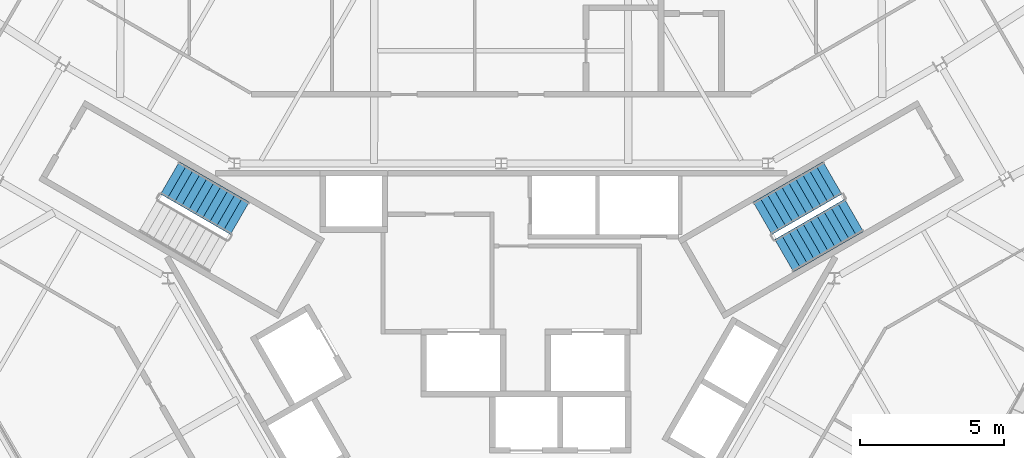
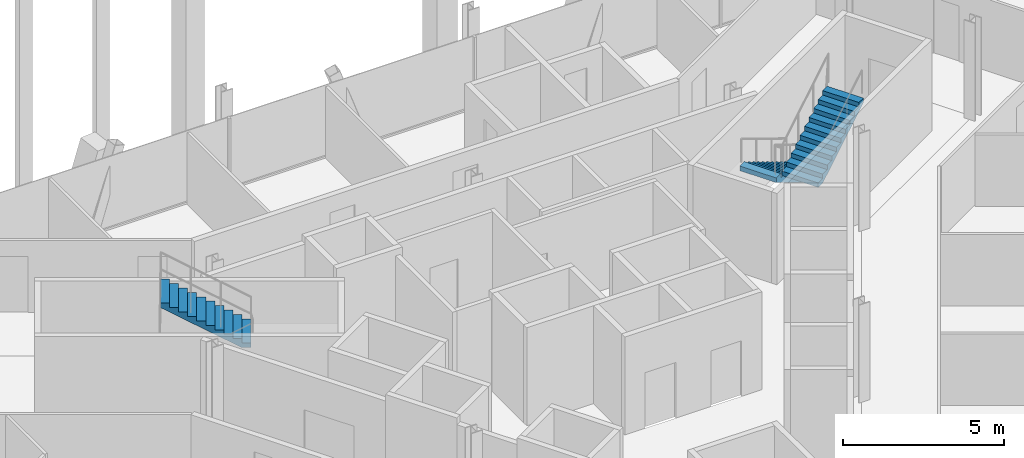
# One storey, part 12 of 14: 3 stair flights, 2 elements without a shape of their own.
"""IFC4 building model written with IfcOpenShell, lengths in metres."""

from ifc_helpers import new_model, si_unit, direction, frame, origin, place, context, subcontext, project, spatial, polyline, outline, extrude, material, type_object, element, aggregate, save


model = new_model("IFC4")

# Units and contexts
model_context = context("Model", 3, precision=1e-05, world=origin(), true_north=direction((0.0, 1.0)))
body_context = subcontext(model_context, "Body", "Model", "MODEL_VIEW")
ifc_project = project(units=[si_unit("LENGTHUNIT", "METRE"), si_unit("AREAUNIT", "SQUARE_METRE"), si_unit("VOLUMEUNIT", "CUBIC_METRE"), si_unit("PLANEANGLEUNIT", "RADIAN"), si_unit("MASSUNIT", "GRAM", prefix="KILO")], contexts=[model_context])

# Site, building, storey
site_placement = place(None, origin())
site = spatial("IfcSite", under=ifc_project, at=site_placement, CompositionType="ELEMENT")
building_placement = place(site_placement, origin())
building = spatial("IfcBuilding", under=site, at=building_placement, Name="Verrane Prism Tower", CompositionType="ELEMENT")
storey_placement = place(building_placement, frame((0.0, 0.0, 217.5)))
storey = spatial("IfcBuildingStorey", under=building, at=storey_placement, Name="L54", CompositionType="ELEMENT", Elevation=217.5)

# Stair, stair flights
ifc_material_1 = material(Name="Concrete C40/50", Category="concrete")
stair_type = type_object("IfcStairType", Name="Exit stair 1300 dog-leg precast concrete C40/50", PredefinedType="HALF_TURN_STAIR", material=ifc_material_1)
stair_1_placement = place(storey_placement, origin())
stair_1 = element("IfcStair", 1, at=stair_1_placement, inside=storey, type_object=stair_type, Name="Stair 1 L54", PredefinedType="HALF_TURN_STAIR")
ifc_material_2 = material(Name="Concrete C40/50", Category="concrete")
stair_flight_type = type_object("IfcStairFlightType", Name="Stair flight 1300 precast concrete C40/50", PredefinedType="STRAIGHT", material=ifc_material_2)
stair_flight_1_placement = place(storey_placement, frame((11.489501953125, 7.49951171875, 0.0), z_axis=(0.0, 0.0, 1.0), x_axis=(-0.866025403784, -0.5, 0.0)))
stair_flight_1 = element("IfcStairFlight", 2, at=stair_flight_1_placement, type_object=stair_flight_type, Name="Stair 1 flight 1", NumberOfRisers=11, NumberOfTreads=10, PredefinedType="STRAIGHT", RiserHeight=0.168181818, TreadLength=0.28, context=body_context, shape_type="SweptSolid", body=[
    extrude(outline(polyline([(0.0, 0.0), (0.0, 0.168212890625), (0.280029296875, 0.168212890625), (0.280029296875, 0.33642578125), (0.56005859375, 0.33642578125), (0.56005859375, 0.504638671875), (0.840087890625, 0.504638671875), (0.840087890625, 0.672607421875), (1.1201171875, 0.672607421875), (1.1201171875, 0.8408203125), (1.39990234375, 0.8408203125), (1.39990234375, 1.009033203125), (1.679931640625, 1.009033203125), (1.679931640625, 1.17724609375), (1.9599609375, 1.17724609375), (1.9599609375, 1.345458984375), (2.239990234375, 1.345458984375), (2.239990234375, 1.513671875), (2.52001953125, 1.513671875), (2.52001953125, 1.681884765625), (2.800048828125, 1.681884765625), (2.800048828125, 1.85009765625), (2.800048828125, 1.5068359375), (0.291015625, 0.0), (0.0, 0.0)])), frame((0.0, 0.64990234375, 0.0), z_axis=(0.0, -1.0, 0.0), x_axis=(1.0, 0.0, 0.0)), (0.0, 0.0, 1.0), 1.300048828125),
])
stair_flight_2_placement = place(storey_placement, frame((9.814697265625, 4.800537109375, 1.85009765625), z_axis=(0.0, 0.0, 1.0), x_axis=(0.866025403784, 0.5, 0.0)))
stair_flight_2 = element("IfcStairFlight", 3, at=stair_flight_2_placement, type_object=stair_flight_type, Name="Stair 1 flight 2", NumberOfRisers=11, NumberOfTreads=10, PredefinedType="STRAIGHT", RiserHeight=0.168181818, TreadLength=0.28, context=body_context, shape_type="SweptSolid", body=[
    extrude(outline(polyline([(0.0, 0.0), (0.0, 0.168212890625), (0.280029296875, 0.168212890625), (0.280029296875, 0.33642578125), (0.56005859375, 0.33642578125), (0.56005859375, 0.504638671875), (0.840087890625, 0.504638671875), (0.840087890625, 0.672607421875), (1.1201171875, 0.672607421875), (1.1201171875, 0.8408203125), (1.39990234375, 0.8408203125), (1.39990234375, 1.009033203125), (1.679931640625, 1.009033203125), (1.679931640625, 1.17724609375), (1.9599609375, 1.17724609375), (1.9599609375, 1.345458984375), (2.239990234375, 1.345458984375), (2.239990234375, 1.513671875), (2.52001953125, 1.513671875), (2.52001953125, 1.681884765625), (2.800048828125, 1.681884765625), (2.800048828125, 1.85009765625), (2.800048828125, 1.5068359375), (0.291015625, 0.0), (0.0, 0.0)])), frame((0.0, 0.64990234375, 0.0), z_axis=(0.0, -1.0, 0.0), x_axis=(1.0, 0.0, 0.0)), (0.0, 0.0, 1.0), 1.300048828125),
])
aggregate(stair_1, [stair_flight_1, stair_flight_2])

# Stair, stair flight
stair_2_placement = place(storey_placement, origin())
stair_2 = element("IfcStair", 4, at=stair_2_placement, inside=storey, type_object=stair_type, Name="Stair 2 L54", PredefinedType="HALF_TURN_STAIR")
stair_flight_3_placement = place(storey_placement, frame((-9.064697265625, 6.099609375, 1.85009765625), z_axis=(0.0, 0.0, 1.0), x_axis=(-0.866025403784, 0.5, 0.0)))
stair_flight_3 = element("IfcStairFlight", 5, at=stair_flight_3_placement, type_object=stair_flight_type, Name="Stair 2 flight 2", NumberOfRisers=11, NumberOfTreads=10, PredefinedType="STRAIGHT", RiserHeight=0.168181818, TreadLength=0.28, context=body_context, shape_type="SweptSolid", body=[
    extrude(outline(polyline([(0.0, 0.0), (0.0, 0.168212890625), (0.280029296875, 0.168212890625), (0.280029296875, 0.33642578125), (0.56005859375, 0.33642578125), (0.56005859375, 0.504638671875), (0.840087890625, 0.504638671875), (0.840087890625, 0.672607421875), (1.1201171875, 0.672607421875), (1.1201171875, 0.8408203125), (1.39990234375, 0.8408203125), (1.39990234375, 1.009033203125), (1.679931640625, 1.009033203125), (1.679931640625, 1.17724609375), (1.9599609375, 1.17724609375), (1.9599609375, 1.345458984375), (2.239990234375, 1.345458984375), (2.239990234375, 1.513671875), (2.52001953125, 1.513671875), (2.52001953125, 1.681884765625), (2.800048828125, 1.681884765625), (2.800048828125, 1.85009765625), (2.800048828125, 1.5068359375), (0.291015625, 0.0), (0.0, 0.0)])), frame((0.0, 0.64990234375, 0.0), z_axis=(0.0, -1.0, 0.0), x_axis=(1.0, 0.0, 0.0)), (0.0, 0.0, 1.0), 1.300048828125),
])
aggregate(stair_2, [stair_flight_3])

save(model, "model.ifc")
